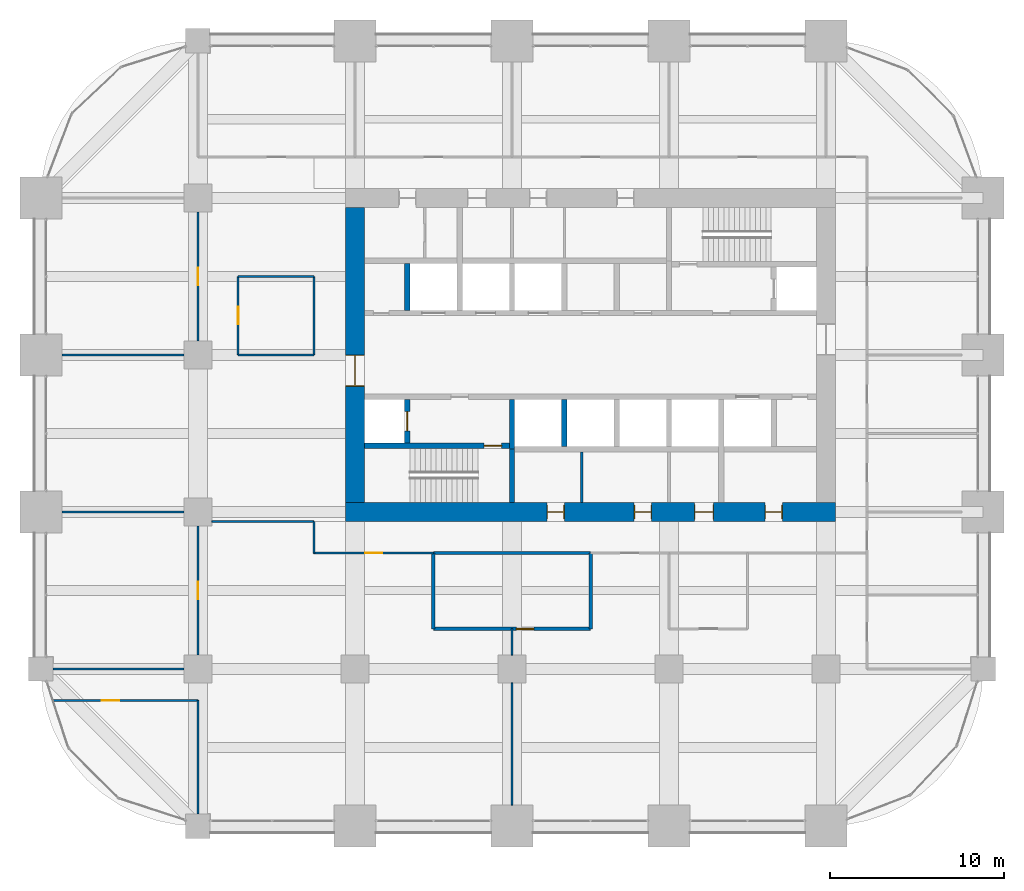
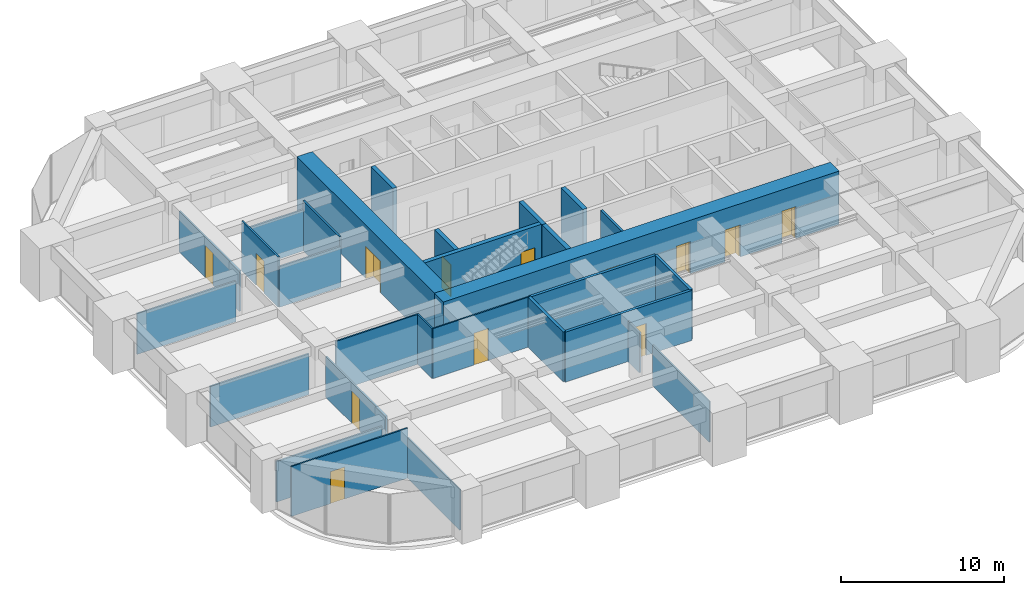
# One storey, part 29 of 32: 29 walls, 13 doors, 13 openings.
"""IFC4 building model written with IfcOpenShell, lengths in metres."""

import ifcopenshell
import ifcopenshell.guid

model = None  # the IFC model being written
_history = None  # IfcOwnerHistory: only IFC2X3 demands one
_inside = {}  # id of a spatial element -> (the spatial element, [elements in it])
_under = {}  # id of a project, library or spatial element -> (it, [spatial elements below it])
_declared = {}  # id of a project -> (the project, [libraries it declares])
_typed = {}  # id of a type object -> (the type object, [elements of that type])
_made_of = {}  # id of a material, layer set ... -> (it, [elements and type objects made of it])


def new_model(schema):
    """Start an empty IFC model of exactly this schema.

    Asked for "IFC4X3", IfcOpenShell would pick the latest addendum, in which some entities
    have other attributes; the version numbers below select the first issue.
    IFC2X3 requires an IfcOwnerHistory on every rooted entity: one is made here for all.
    """
    global model, _history
    if schema == "IFC4X3":
        model = ifcopenshell.file(schema_version=(4, 3, 0, 0))
    else:
        model = ifcopenshell.file(schema=schema)
    _inside.clear()
    _under.clear()
    _declared.clear()
    _typed.clear()
    _made_of.clear()
    _history = None
    if model.schema == "IFC2X3":
        org = make("IfcOrganization", Name="unknown")
        user = make(
            "IfcPersonAndOrganization",
            ThePerson=make("IfcPerson", FamilyName="unknown"),
            TheOrganization=org,
        )
        app = make(
            "IfcApplication",
            ApplicationDeveloper=org,
            Version="unknown",
            ApplicationFullName="unknown",
            ApplicationIdentifier="unknown",
        )
        _history = make(
            "IfcOwnerHistory",
            OwningUser=user,
            OwningApplication=app,
            ChangeAction="ADDED",
            CreationDate=0,
        )
    return model


def make(cls, **values):
    """One entity of the class cls with the attributes given. An attribute that is None is left unset."""
    return model.create_entity(
        cls, **{name: value for name, value in values.items() if value is not None}
    )


def rooted(cls, **values):
    """An entity with a GlobalId (a new one), such as an element, a storey or a relation."""
    return make(cls, GlobalId=ifcopenshell.guid.new(), OwnerHistory=_history, **values)


def si_unit(unit_type, name, prefix=None):
    """IfcSIUnit, for example si_unit("LENGTHUNIT", "METRE", prefix="MILLI")."""
    return make("IfcSIUnit", UnitType=unit_type, Prefix=prefix, Name=name)


def assignment(units):
    """IfcUnitAssignment: the units of a project."""
    return None if units is None else make("IfcUnitAssignment", Units=units)


def point(xyz):
    """IfcCartesianPoint."""
    return None if xyz is None else make("IfcCartesianPoint", Coordinates=xyz)


def direction(xyz):
    """IfcDirection."""
    return None if xyz is None else make("IfcDirection", DirectionRatios=xyz)


def frame(location, z_axis=None, x_axis=None):
    """IfcAxis2Placement3D, a coordinate frame: its origin and axes. An axis left out is left unset."""
    return make(
        "IfcAxis2Placement3D",
        Location=point(location),
        Axis=direction(z_axis),
        RefDirection=direction(x_axis),
    )


def frame_2d(location, x_axis=None):
    """IfcAxis2Placement2D, a coordinate frame in the plane: its origin and x axis."""
    return make(
        "IfcAxis2Placement2D", Location=point(location), RefDirection=direction(x_axis)
    )


def origin():
    """The frame at (0, 0, 0) with its axes left unset."""
    return frame((0.0, 0.0, 0.0))


def place(relative_to, where):
    """IfcLocalPlacement: puts the frame where relative to a parent placement (None: the world)."""
    return make(
        "IfcLocalPlacement", PlacementRelTo=relative_to, RelativePlacement=where
    )


def context(
    kind, dimensions, precision=None, world=None, true_north=None, identifier=None
):
    """IfcGeometricRepresentationContext, for example the 3D "Model" context."""
    return make(
        "IfcGeometricRepresentationContext",
        ContextIdentifier=identifier,
        ContextType=kind,
        CoordinateSpaceDimension=dimensions,
        Precision=precision,
        WorldCoordinateSystem=world,
        TrueNorth=true_north,
    )


def subcontext(parent, identifier, kind, view, scale=None):
    """IfcGeometricRepresentationSubContext, for example "Body" below "Model"."""
    return make(
        "IfcGeometricRepresentationSubContext",
        ContextIdentifier=identifier,
        ContextType=kind,
        ParentContext=parent,
        TargetScale=scale,
        TargetView=view,
    )


def project(units=None, contexts=None):
    """IfcProject with its units and contexts."""
    return rooted(
        "IfcProject",
        Name="project",
        RepresentationContexts=contexts,
        UnitsInContext=assignment(units),
    )


def spatial(cls, under=None, at=None, **own):
    """A site, building, storey or space (cls), placed at a placement, below another one or the project."""
    s = rooted(cls, ObjectPlacement=at, **own)
    if under is not None:
        _under.setdefault(under.id(), (under, []))[1].append(s)
    return s


def profile(cls, at=None, kind="AREA", **sizes):
    """A parametric profile (cls). Its sizes go by their IFC names, for example OverallWidth=200.0."""
    return make(cls, ProfileType=kind, Position=at, **sizes)


def rectangle(**sizes):
    """IfcRectangleProfileDef."""
    return profile("IfcRectangleProfileDef", **sizes)


def extrude(swept, where, along, depth):
    """IfcExtrudedAreaSolid: the profile swept, set in the frame where, extruded along a direction by depth."""
    return make(
        "IfcExtrudedAreaSolid",
        SweptArea=swept,
        Position=where,
        ExtrudedDirection=direction(along),
        Depth=depth,
    )


def shape(context_of_items, identifier, shape_type, items):
    """IfcShapeRepresentation: the items that make up one representation, for example the "Body"."""
    return make(
        "IfcShapeRepresentation",
        ContextOfItems=context_of_items,
        RepresentationIdentifier=identifier,
        RepresentationType=shape_type,
        Items=items,
    )


def material(Name=None, Category=None):
    """IfcMaterial."""
    return make("IfcMaterial", Name=Name, Category=Category)


def layer(
    of_material, thickness, ventilated=None, Name=None, Category=None, Priority=None
):
    """IfcMaterialLayer: one layer of a wall or slab, of a material (None: an air gap)."""
    return make(
        "IfcMaterialLayer",
        Material=of_material,
        LayerThickness=thickness,
        IsVentilated=ventilated,
        Name=Name,
        Category=Category,
        Priority=Priority,
    )


def layer_set(layers, Name=None):
    """IfcMaterialLayerSet."""
    return make("IfcMaterialLayerSet", MaterialLayers=layers, LayerSetName=Name)


def made_of(thing, what):
    """Note that an element or type object is made of a material, layer set ...; save() writes the relation."""
    if what is not None:
        _made_of.setdefault(what.id(), (what, []))[1].append(thing)
    return thing


def type_object(cls, material=None, **own):
    """A type object (cls), such as IfcWallType, which elements share."""
    return made_of(rooted(cls, **own), material)


def element(
    cls,
    number,
    at=None,
    inside=None,
    cuts=None,
    type_object=None,
    material=None,
    context=None,
    identifier="Body",
    shape_type=None,
    held_by="IfcProductDefinitionShape",
    body=None,
    shapes=None,
    **own,
):
    """One element of the class cls, such as IfcWall. Its Tag is "e" and its number.

    at: its placement. inside: the storey or other place that contains it. cuts: it is an
    opening in that element (IfcRelVoidsElement). A single representation is given by context,
    identifier, shape_type and body (its items); several are given by shapes. held_by: the class
    of the entity that holds the representations. save() writes the other relations.
    """
    e = rooted(cls, Tag="e%d" % number, ObjectPlacement=at, **own)
    if body is not None:
        shapes = [shape(context, identifier, shape_type, body)]
    if shapes is not None:
        e.Representation = make(held_by, Representations=shapes)
    if inside is not None:
        _inside.setdefault(inside.id(), (inside, []))[1].append(e)
    if cuts is not None:
        rooted(
            "IfcRelVoidsElement", RelatingBuildingElement=cuts, RelatedOpeningElement=e
        )
    if type_object is not None:
        _typed.setdefault(type_object.id(), (type_object, []))[1].append(e)
    return made_of(e, material)


def fill(opening, filler):
    """IfcRelFillsElement: the door or window that sits in an opening."""
    return rooted(
        "IfcRelFillsElement",
        RelatingOpeningElement=opening,
        RelatedBuildingElement=filler,
    )


def aggregate(whole, parts):
    """IfcRelAggregates: a whole, such as a stair, and the parts it consists of."""
    return rooted("IfcRelAggregates", RelatingObject=whole, RelatedObjects=parts)


def save(model, path):
    """Write the relations noted so far, then the file.

    IfcRelAggregates (storeys below a building ...), IfcRelContainedInSpatialStructure (elements
    in a storey), IfcRelDefinesByType, IfcRelAssociatesMaterial and IfcRelDeclares: one each for
    every whole, place, type object, material and project.
    """
    for whole, parts in _under.values():
        aggregate(whole, parts)
    for where, things in _inside.values():
        rooted(
            "IfcRelContainedInSpatialStructure",
            RelatedElements=things,
            RelatingStructure=where,
        )
    for kind, things in _typed.values():
        rooted("IfcRelDefinesByType", RelatedObjects=things, RelatingType=kind)
    for what, things in _made_of.values():
        rooted("IfcRelAssociatesMaterial", RelatedObjects=things, RelatingMaterial=what)
    for by, libraries in _declared.values():
        rooted("IfcRelDeclares", RelatingContext=by, RelatedDefinitions=libraries)
    model.write(path)


model = new_model("IFC4")

# Units and contexts
model_context = context("Model", 3, precision=1e-05, world=origin(), true_north=direction((0.0, 1.0)))
body_context = subcontext(model_context, "Body", "Model", "MODEL_VIEW")
ifc_project = project(units=[si_unit("LENGTHUNIT", "METRE"), si_unit("AREAUNIT", "SQUARE_METRE"), si_unit("VOLUMEUNIT", "CUBIC_METRE"), si_unit("PLANEANGLEUNIT", "RADIAN"), si_unit("MASSUNIT", "GRAM", prefix="KILO")], contexts=[model_context])

# Site, building, storey
site_placement = place(None, origin())
site = spatial("IfcSite", under=ifc_project, at=site_placement, CompositionType="ELEMENT")
building_placement = place(site_placement, origin())
building = spatial("IfcBuilding", under=site, at=building_placement, Name="Zorevar Civic Tower", CompositionType="ELEMENT")
storey_placement = place(building_placement, frame((0.0, 0.0, 190.199951171875)))
storey = spatial("IfcBuildingStorey", under=building, at=storey_placement, Name="L46", CompositionType="ELEMENT", Elevation=190.199951171875)

# Wall, opening, door
ifc_material_1 = material(Name="Concrete blockwork", Category="masonry")
ifc_layer_1 = layer(ifc_material_1, 0.199951171875)
ifc_layer_set_1 = layer_set([ifc_layer_1], Name="Blockwork wall 200")
wall_type_1 = type_object("IfcWallType", Name="Blockwork wall 200", PredefinedType="SOLIDWALL", material=ifc_layer_set_1)
wall_1_placement = place(storey_placement, frame((22.5, 11.300048828125, 0.0), z_axis=(0.0, 0.0, 1.0), x_axis=(1.0, 0.0, 0.0)))
wall_1 = element("IfcWall", 1, at=wall_1_placement, inside=storey, type_object=wall_type_1, Name="Blockwork wall 200 L46", PredefinedType="SOLIDWALL", context=body_context, shape_type="SweptSolid", body=[
    extrude(rectangle(XDim=9.0, YDim=0.199951171875, at=frame_2d((4.5, 0.0))), origin(), (0.0, 0.0, 1.0), 3.75),
])
opening_1_placement = place(wall_1_placement, frame((4.75, 0.0, 0.0)))
opening_1 = element("IfcOpeningElement", 2, at=opening_1_placement, cuts=wall_1, Name="Opening L46.18", PredefinedType="OPENING", context=body_context, shape_type="SweptSolid", body=[
    extrude(rectangle(XDim=1.0, YDim=2.39990234375, at=frame_2d((0.5, 1.199951171875))), frame((0.0, 0.10986328125, 0.0), z_axis=(0.0, -1.0, 0.0), x_axis=(1.0, 0.0, 0.0)), (0.0, 0.0, 1.0), 0.219970703125),
])
ifc_material_2 = material(Name="Steel door set", Category="steel")
door_type_1 = type_object("IfcDoorType", Name="Security door SD1 1000x2400", OperationType="SINGLE_SWING_LEFT", PredefinedType="DOOR", material=ifc_material_2)
door_1_placement = place(opening_1_placement, origin())
door_1 = element("IfcDoor", 3, at=door_1_placement, inside=storey, type_object=door_type_1, Name="Door L46 D1", OperationType="SINGLE_SWING_RIGHT", OverallHeight=2.39990234375, OverallWidth=1.0, PredefinedType="DOOR", context=body_context, shape_type="SweptSolid", body=[
    extrude(rectangle(XDim=1.0, YDim=2.39990234375, at=frame_2d((0.5, 1.199951171875))), frame((0.0, 0.03515625, 0.0), z_axis=(0.0, -1.0, 0.0), x_axis=(1.0, 0.0, 0.0)), (0.0, 0.0, 1.0), 0.070068359375),
])
fill(opening_1, door_1)

# Walls
wall_2_placement = place(storey_placement, frame((22.5, 15.64990234375, 0.0), z_axis=(0.0, 0.0, 1.0), x_axis=(1.0, 0.0, 0.0)))
element("IfcWall", 4, at=wall_2_placement, inside=storey, type_object=wall_type_1, Name="Blockwork wall 200 L46", PredefinedType="SOLIDWALL", context=body_context, shape_type="SweptSolid", body=[
    extrude(rectangle(XDim=9.0, YDim=0.199951171875, at=frame_2d((4.5, 0.0))), origin(), (0.0, 0.0, 1.0), 3.75),
])
for number, where, z_axis, x_axis, name in (
    (5, (22.5, 11.300048828125, 0.0), (0.0, 0.0, 1.0), (0.0, 1.0, 0.0), "Blockwork wall 200 L46"),
    (6, (31.5, 11.300048828125, 0.0), (0.0, 0.0, 1.0), (0.0, 1.0, 0.0), "Blockwork wall 200 L46"),
):
    element("IfcWall", number, at=place(storey_placement, frame(where, z_axis=z_axis, x_axis=x_axis)), inside=storey, type_object=wall_type_1, Name=name, PredefinedType="SOLIDWALL", context=body_context, shape_type="SweptSolid", body=[
        extrude(rectangle(XDim=4.349853515625, YDim=0.199951171875, at=frame_2d((2.1748046875, 0.0))), origin(), (0.0, 0.0, 1.0), 3.75),
    ])

# Wall, openings, doors
ifc_material_3 = material(Name="Concrete C50/60", Category="concrete")
ifc_layer_2 = layer(ifc_material_3, 1.10009765625)
ifc_layer_set_2 = layer_set([ifc_layer_2], Name="Core wall 1100")
wall_type_2 = type_object("IfcWallType", Name="Core wall 1100", PredefinedType="SHEAR", material=ifc_layer_set_2)
wall_3_placement = place(storey_placement, frame((17.449951171875, 18.0, 0.0), z_axis=(0.0, 0.0, 1.0), x_axis=(1.0, 0.0, 0.0)))
wall_3 = element("IfcWall", 7, at=wall_3_placement, inside=storey, type_object=wall_type_2, Name="Core wall S L46", PredefinedType="SHEAR", context=body_context, shape_type="SweptSolid", body=[
    extrude(rectangle(XDim=28.10009765625, YDim=1.10009765625, at=frame_2d((14.050048828125, 0.0))), origin(), (0.0, 0.0, 1.0), 4.0),
])
opening_2_placement = place(wall_3_placement, frame((11.550048828125, 0.0, 0.0)))
opening_2 = element("IfcOpeningElement", 8, at=opening_2_placement, cuts=wall_3, Name="Opening L46.03", PredefinedType="OPENING", context=body_context, shape_type="SweptSolid", body=[
    extrude(rectangle(XDim=1.0, YDim=2.39990234375, at=frame_2d((0.5, 1.199951171875))), frame((0.0, 0.56005859375, 0.0), z_axis=(0.0, -1.0, 0.0), x_axis=(1.0, 0.0, 0.0)), (0.0, 0.0, 1.0), 1.1201171875),
])
opening_3_placement = place(wall_3_placement, frame((16.550048828125, 0.0, 0.0)))
opening_3 = element("IfcOpeningElement", 9, at=opening_3_placement, cuts=wall_3, Name="Opening L46.04", PredefinedType="OPENING", context=body_context, shape_type="SweptSolid", body=[
    extrude(rectangle(XDim=1.0, YDim=2.39990234375, at=frame_2d((0.5, 1.199951171875))), frame((0.0, 0.56005859375, 0.0), z_axis=(0.0, -1.0, 0.0), x_axis=(1.0, 0.0, 0.0)), (0.0, 0.0, 1.0), 1.1201171875),
])
opening_4_placement = place(wall_3_placement, frame((20.0, 0.0, 0.0)))
opening_4 = element("IfcOpeningElement", 10, at=opening_4_placement, cuts=wall_3, Name="Opening L46.05", PredefinedType="OPENING", context=body_context, shape_type="SweptSolid", body=[
    extrude(rectangle(XDim=1.10009765625, YDim=2.39990234375, at=frame_2d((0.550048828125, 1.199951171875))), frame((0.0, 0.56005859375, 0.0), z_axis=(0.0, -1.0, 0.0), x_axis=(1.0, 0.0, 0.0)), (0.0, 0.0, 1.0), 1.1201171875),
])
opening_5_placement = place(wall_3_placement, frame((24.050048828125, 0.0, 0.0)))
opening_5 = element("IfcOpeningElement", 11, at=opening_5_placement, cuts=wall_3, Name="Opening L46.06", PredefinedType="OPENING", context=body_context, shape_type="SweptSolid", body=[
    extrude(rectangle(XDim=1.0, YDim=2.39990234375, at=frame_2d((0.5, 1.199951171875))), frame((0.0, 0.56005859375, 0.0), z_axis=(0.0, -1.0, 0.0), x_axis=(1.0, 0.0, 0.0)), (0.0, 0.0, 1.0), 1.1201171875),
])
ifc_material_4 = material(Name="Timber door set", Category="wood")
door_type_2 = type_object("IfcDoorType", Name="Door D1 1000x2400", OperationType="SINGLE_SWING_LEFT", PredefinedType="DOOR", material=ifc_material_4)
door_2_placement = place(opening_2_placement, origin())
door_2 = element("IfcDoor", 12, at=door_2_placement, inside=storey, type_object=door_type_2, Name="Door L46 02", OperationType="SINGLE_SWING_RIGHT", OverallHeight=2.39990234375, OverallWidth=1.0, PredefinedType="DOOR", context=body_context, shape_type="SweptSolid", body=[
    extrude(rectangle(XDim=1.0, YDim=2.39990234375, at=frame_2d((0.5, 1.199951171875))), frame((0.0, 0.02490234375, 0.0), z_axis=(0.0, -1.0, 0.0), x_axis=(1.0, 0.0, 0.0)), (0.0, 0.0, 1.0), 0.050048828125),
    extrude(rectangle(XDim=0.04, YDim=2.39990234375, at=frame_2d((0.02001953125, 1.199951171875))), frame((0.0, 0.39990234375, 0.0), z_axis=(0.0, -1.0, 0.0), x_axis=(1.0, 0.0, 0.0)), (0.0, 0.0, 1.0), 0.800048828125),
    extrude(rectangle(XDim=0.04, YDim=2.39990234375, at=frame_2d((0.97998046875, 1.199951171875))), frame((0.0, 0.39990234375, 0.0), z_axis=(0.0, -1.0, 0.0), x_axis=(1.0, 0.0, 0.0)), (0.0, 0.0, 1.0), 0.800048828125),
    extrude(rectangle(XDim=1.0, YDim=0.04, at=frame_2d((0.5, 2.3798828125))), frame((0.0, 0.39990234375, 0.0), z_axis=(0.0, -1.0, 0.0), x_axis=(1.0, 0.0, 0.0)), (0.0, 0.0, 1.0), 0.800048828125),
])
fill(opening_2, door_2)
door_3_placement = place(opening_3_placement, origin())
door_3 = element("IfcDoor", 13, at=door_3_placement, inside=storey, type_object=door_type_2, Name="Door L46 03", OperationType="SINGLE_SWING_LEFT", OverallHeight=2.39990234375, OverallWidth=1.0, PredefinedType="DOOR", context=body_context, shape_type="SweptSolid", body=[
    extrude(rectangle(XDim=1.0, YDim=2.39990234375, at=frame_2d((0.5, 1.199951171875))), frame((0.0, 0.02490234375, 0.0), z_axis=(0.0, -1.0, 0.0), x_axis=(1.0, 0.0, 0.0)), (0.0, 0.0, 1.0), 0.050048828125),
    extrude(rectangle(XDim=0.04, YDim=2.39990234375, at=frame_2d((0.02001953125, 1.199951171875))), frame((0.0, 0.39990234375, 0.0), z_axis=(0.0, -1.0, 0.0), x_axis=(1.0, 0.0, 0.0)), (0.0, 0.0, 1.0), 0.800048828125),
    extrude(rectangle(XDim=0.04, YDim=2.39990234375, at=frame_2d((0.97998046875, 1.199951171875))), frame((0.0, 0.39990234375, 0.0), z_axis=(0.0, -1.0, 0.0), x_axis=(1.0, 0.0, 0.0)), (0.0, 0.0, 1.0), 0.800048828125),
    extrude(rectangle(XDim=1.0, YDim=0.04, at=frame_2d((0.5, 2.3798828125))), frame((0.0, 0.39990234375, 0.0), z_axis=(0.0, -1.0, 0.0), x_axis=(1.0, 0.0, 0.0)), (0.0, 0.0, 1.0), 0.800048828125),
])
fill(opening_3, door_3)
door_4_placement = place(opening_5_placement, origin())
door_4 = element("IfcDoor", 14, at=door_4_placement, inside=storey, type_object=door_type_2, Name="Door L46 05", OperationType="SINGLE_SWING_LEFT", OverallHeight=2.39990234375, OverallWidth=1.0, PredefinedType="DOOR", context=body_context, shape_type="SweptSolid", body=[
    extrude(rectangle(XDim=1.0, YDim=2.39990234375, at=frame_2d((0.5, 1.199951171875))), frame((0.0, 0.02490234375, 0.0), z_axis=(0.0, -1.0, 0.0), x_axis=(1.0, 0.0, 0.0)), (0.0, 0.0, 1.0), 0.050048828125),
    extrude(rectangle(XDim=0.04, YDim=2.39990234375, at=frame_2d((0.02001953125, 1.199951171875))), frame((0.0, 0.39990234375, 0.0), z_axis=(0.0, -1.0, 0.0), x_axis=(1.0, 0.0, 0.0)), (0.0, 0.0, 1.0), 0.800048828125),
    extrude(rectangle(XDim=0.04, YDim=2.39990234375, at=frame_2d((0.97998046875, 1.199951171875))), frame((0.0, 0.39990234375, 0.0), z_axis=(0.0, -1.0, 0.0), x_axis=(1.0, 0.0, 0.0)), (0.0, 0.0, 1.0), 0.800048828125),
    extrude(rectangle(XDim=1.0, YDim=0.04, at=frame_2d((0.5, 2.3798828125))), frame((0.0, 0.39990234375, 0.0), z_axis=(0.0, -1.0, 0.0), x_axis=(1.0, 0.0, 0.0)), (0.0, 0.0, 1.0), 0.800048828125),
])
fill(opening_5, door_4)
ifc_material_5 = material(Name="Timber door set", Category="wood")
door_type_3 = type_object("IfcDoorType", Name="Door D5 1100x2400", OperationType="SINGLE_SWING_LEFT", PredefinedType="DOOR", material=ifc_material_5)
door_5_placement = place(opening_4_placement, origin())
door_5 = element("IfcDoor", 15, at=door_5_placement, inside=storey, type_object=door_type_3, Name="Door L46 04", OperationType="SINGLE_SWING_LEFT", OverallHeight=2.39990234375, OverallWidth=1.10009765625, PredefinedType="DOOR", context=body_context, shape_type="SweptSolid", body=[
    extrude(rectangle(XDim=1.10009765625, YDim=2.39990234375, at=frame_2d((0.550048828125, 1.199951171875))), frame((0.0, 0.02490234375, 0.0), z_axis=(0.0, -1.0, 0.0), x_axis=(1.0, 0.0, 0.0)), (0.0, 0.0, 1.0), 0.050048828125),
    extrude(rectangle(XDim=0.04, YDim=2.39990234375, at=frame_2d((0.02001953125, 1.199951171875))), frame((0.0, 0.43994140625, 0.0), z_axis=(0.0, -1.0, 0.0), x_axis=(1.0, 0.0, 0.0)), (0.0, 0.0, 1.0), 0.880126953125),
    extrude(rectangle(XDim=0.04, YDim=2.39990234375, at=frame_2d((1.080078125, 1.199951171875))), frame((0.0, 0.43994140625, 0.0), z_axis=(0.0, -1.0, 0.0), x_axis=(1.0, 0.0, 0.0)), (0.0, 0.0, 1.0), 0.880126953125),
    extrude(rectangle(XDim=1.10009765625, YDim=0.04, at=frame_2d((0.550048828125, 2.3798828125))), frame((0.0, 0.43994140625, 0.0), z_axis=(0.0, -1.0, 0.0), x_axis=(1.0, 0.0, 0.0)), (0.0, 0.0, 1.0), 0.880126953125),
])
fill(opening_4, door_5)

# Wall, opening, door
wall_4_placement = place(storey_placement, frame((18.0, 35.449951171875, 0.0), z_axis=(0.0, 0.0, 1.0), x_axis=(0.0, -1.0, 0.0)))
wall_4 = element("IfcWall", 16, at=wall_4_placement, inside=storey, type_object=wall_type_2, Name="Core wall W L46", PredefinedType="SHEAR", context=body_context, shape_type="SweptSolid", body=[
    extrude(rectangle(XDim=16.89990234375, YDim=1.10009765625, at=frame_2d((8.449951171875, 0.0))), origin(), (0.0, 0.0, 1.0), 4.0),
])
opening_6_placement = place(wall_4_placement, frame((8.449951171875, 0.0, 0.0)))
opening_6 = element("IfcOpeningElement", 17, at=opening_6_placement, cuts=wall_4, Name="Opening L46.01", PredefinedType="OPENING", context=body_context, shape_type="SweptSolid", body=[
    extrude(rectangle(XDim=1.800048828125, YDim=2.39990234375, at=frame_2d((0.89990234375, 1.199951171875))), frame((0.0, 0.56005859375, 0.0), z_axis=(0.0, -1.0, 0.0), x_axis=(1.0, 0.0, 0.0)), (0.0, 0.0, 1.0), 1.1201171875),
])
ifc_material_6 = material(Name="Steel door set", Category="steel")
door_type_4 = type_object("IfcDoorType", Name="Fire door FD2 1800x2400", OperationType="DOUBLE_DOOR_DOUBLE_SWING", PredefinedType="DOOR", material=ifc_material_6)
door_6_placement = place(opening_6_placement, origin())
door_6 = element("IfcDoor", 18, at=door_6_placement, inside=storey, type_object=door_type_4, Name="Door L46 00", OperationType="DOUBLE_DOOR_DOUBLE_SWING", OverallHeight=2.39990234375, OverallWidth=1.800048828125, PredefinedType="DOOR", context=body_context, shape_type="SweptSolid", body=[
    extrude(rectangle(XDim=1.800048828125, YDim=2.39990234375, at=frame_2d((0.89990234375, 1.199951171875))), frame((0.0, 0.030029296875, 0.0), z_axis=(0.0, -1.0, 0.0), x_axis=(1.0, 0.0, 0.0)), (0.0, 0.0, 1.0), 0.06005859375),
    extrude(rectangle(XDim=0.04, YDim=2.39990234375, at=frame_2d((0.02001953125, 1.199951171875))), frame((0.0, 0.5498046875, 0.0), z_axis=(0.0, -1.0, 0.0), x_axis=(1.0, 0.0, 0.0)), (0.0, 0.0, 1.0), 1.099609375),
    extrude(rectangle(XDim=0.04, YDim=2.39990234375, at=frame_2d((1.780029296875, 1.199951171875))), frame((0.0, 0.5498046875, 0.0), z_axis=(0.0, -1.0, 0.0), x_axis=(1.0, 0.0, 0.0)), (0.0, 0.0, 1.0), 1.099609375),
    extrude(rectangle(XDim=1.800048828125, YDim=0.04, at=frame_2d((0.89990234375, 2.3798828125))), frame((0.0, 0.5498046875, 0.0), z_axis=(0.0, -1.0, 0.0), x_axis=(1.0, 0.0, 0.0)), (0.0, 0.0, 1.0), 1.099609375),
])
fill(opening_6, door_6)

ifc_material_7 = material(Name="Laminated glass in black aluminium frame", Category="aluminium")
ifc_layer_3 = layer(ifc_material_7, 0.10009765625)
ifc_layer_set_3 = layer_set([ifc_layer_3], Name="Glazed partition 100")
wall_type_3 = type_object("IfcWallType", Name="Glazed partition 100", PredefinedType="PARTITIONING", material=ifc_layer_set_3)
wall_5_placement = place(storey_placement, frame((0.720458984375, 7.199951171875, 0.0), z_axis=(0.0, 0.0, 1.0), x_axis=(1.0, 0.0, 0.0)))
wall_5 = element("IfcWall", 19, at=wall_5_placement, inside=storey, type_object=wall_type_3, Name="Glazed partition 100 L46", PredefinedType="PARTITIONING", context=body_context, shape_type="SweptSolid", body=[
    extrude(rectangle(XDim=8.279541015625, YDim=0.10009765625, at=frame_2d((4.1396484375, 0.0))), origin(), (0.0, 0.0, 1.0), 3.75),
])
opening_7_placement = place(wall_5_placement, frame((2.779541015625, 0.0, 0.0)))
opening_7 = element("IfcOpeningElement", 20, at=opening_7_placement, cuts=wall_5, Name="Opening L46.17", PredefinedType="OPENING", context=body_context, shape_type="SweptSolid", body=[
    extrude(rectangle(XDim=1.0, YDim=2.39990234375, at=frame_2d((0.5, 1.199951171875))), frame((0.0, 0.06005859375, 0.0), z_axis=(0.0, -1.0, 0.0), x_axis=(1.0, 0.0, 0.0)), (0.0, 0.0, 1.0), 0.1201171875),
])
ifc_material_8 = material(Name="Timber door set", Category="wood")
door_type_5 = type_object("IfcDoorType", Name="Glazed door GD1 1000x2400", OperationType="SINGLE_SWING_LEFT", PredefinedType="DOOR", material=ifc_material_8)
door_7_placement = place(opening_7_placement, origin())
door_7 = element("IfcDoor", 21, at=door_7_placement, inside=storey, type_object=door_type_5, Name="Door L46 D1", OperationType="SINGLE_SWING_RIGHT", OverallHeight=2.39990234375, OverallWidth=1.0, PredefinedType="DOOR", context=body_context, shape_type="SweptSolid", body=[
    extrude(rectangle(XDim=1.0, YDim=2.39990234375, at=frame_2d((0.5, 1.199951171875))), frame((0.0, 0.02001953125, 0.0), z_axis=(0.0, -1.0, 0.0), x_axis=(1.0, 0.0, 0.0)), (0.0, 0.0, 1.0), 0.0400390625),
])
fill(opening_7, door_7)

wall_6_placement = place(storey_placement, frame((15.64990234375, 15.64990234375, 0.0), z_axis=(0.0, 0.0, 1.0), x_axis=(1.0, 0.0, 0.0)))
wall_6 = element("IfcWall", 22, at=wall_6_placement, inside=storey, type_object=wall_type_3, Name="Glazed partition 100 L46", PredefinedType="PARTITIONING", context=body_context, shape_type="SweptSolid", body=[
    extrude(rectangle(XDim=6.85009765625, YDim=0.10009765625, at=frame_2d((3.425048828125, 0.0))), origin(), (0.0, 0.0, 1.0), 3.75),
])
opening_8_placement = place(wall_6_placement, frame((2.925048828125, 0.0, 0.0)))
opening_8 = element("IfcOpeningElement", 23, at=opening_8_placement, cuts=wall_6, Name="Opening L46.20", PredefinedType="OPENING", context=body_context, shape_type="SweptSolid", body=[
    extrude(rectangle(XDim=1.0, YDim=2.39990234375, at=frame_2d((0.5, 1.199951171875))), frame((0.0, 0.06005859375, 0.0), z_axis=(0.0, -1.0, 0.0), x_axis=(1.0, 0.0, 0.0)), (0.0, 0.0, 1.0), 0.1201171875),
])
door_8_placement = place(opening_8_placement, origin())
door_8 = element("IfcDoor", 24, at=door_8_placement, inside=storey, type_object=door_type_5, Name="Door L46 D1", OperationType="SINGLE_SWING_RIGHT", OverallHeight=2.39990234375, OverallWidth=1.0, PredefinedType="DOOR", context=body_context, shape_type="SweptSolid", body=[
    extrude(rectangle(XDim=1.0, YDim=2.39990234375, at=frame_2d((0.5, 1.199951171875))), frame((0.0, 0.02001953125, 0.0), z_axis=(0.0, -1.0, 0.0), x_axis=(1.0, 0.0, 0.0)), (0.0, 0.0, 1.0), 0.0400390625),
])
fill(opening_8, door_8)

# Walls
wall_7_placement = place(storey_placement, frame((9.800048828125, 17.449951171875, 0.0), z_axis=(0.0, 0.0, 1.0), x_axis=(1.0, 0.0, 0.0)))
element("IfcWall", 25, at=wall_7_placement, inside=storey, type_object=wall_type_3, Name="Glazed partition 100 L46", PredefinedType="PARTITIONING", context=body_context, shape_type="SweptSolid", body=[
    extrude(rectangle(XDim=5.849853515625, YDim=0.10009765625, at=frame_2d((2.9248046875, 0.0))), origin(), (0.0, 0.0, 1.0), 3.75),
])
wall_8_placement = place(storey_placement, frame((9.0, 0.699951171875, 0.0), z_axis=(0.0, 0.0, 1.0), x_axis=(0.0, 1.0, 0.0)))
element("IfcWall", 26, at=wall_8_placement, inside=storey, type_object=wall_type_3, Name="Glazed partition 100 L46", PredefinedType="PARTITIONING", context=body_context, shape_type="SweptSolid", body=[
    extrude(rectangle(XDim=6.5, YDim=0.10009765625, at=frame_2d((3.25, 0.0))), origin(), (0.0, 0.0, 1.0), 3.050048828125),
])
wall_9_placement = place(storey_placement, frame((15.64990234375, 15.64990234375, 0.0), z_axis=(0.0, 0.0, 1.0), x_axis=(0.0, 1.0, 0.0)))
element("IfcWall", 27, at=wall_9_placement, inside=storey, type_object=wall_type_3, Name="Glazed partition 100 L46", PredefinedType="PARTITIONING", context=body_context, shape_type="SweptSolid", body=[
    extrude(rectangle(XDim=1.800048828125, YDim=0.10009765625, at=frame_2d((0.89990234375, 0.0))), origin(), (0.0, 0.0, 1.0), 3.75),
])
wall_10_placement = place(storey_placement, frame((27.0, 1.199951171875, 0.0), z_axis=(0.0, 0.0, 1.0), x_axis=(0.0, 1.0, 0.0)))
element("IfcWall", 28, at=wall_10_placement, inside=storey, type_object=wall_type_3, Name="Glazed partition 100 L46", PredefinedType="PARTITIONING", context=body_context, shape_type="SweptSolid", body=[
    extrude(rectangle(XDim=7.0, YDim=0.10009765625, at=frame_2d((3.5, 0.0))), origin(), (0.0, 0.0, 1.0), 3.050048828125),
])
wall_11_placement = place(storey_placement, frame((27.0, 9.800048828125, 0.0), z_axis=(0.0, 0.0, 1.0), x_axis=(0.0, 1.0, 0.0)))
element("IfcWall", 29, at=wall_11_placement, inside=storey, type_object=wall_type_3, Name="Glazed partition 100 L46", PredefinedType="PARTITIONING", context=body_context, shape_type="SweptSolid", body=[
    extrude(rectangle(XDim=1.510009765625, YDim=0.10009765625, at=frame_2d((0.7548828125, 0.0))), origin(), (0.0, 0.0, 1.0), 3.050048828125),
])

# Wall, opening, door
ifc_material_9 = material(Name="Concrete C40/50", Category="concrete")
ifc_layer_4 = layer(ifc_material_9, 0.300048828125)
ifc_layer_set_4 = layer_set([ifc_layer_4], Name="Inner core wall 300")
wall_type_4 = type_object("IfcWallType", Name="Inner core wall 300", PredefinedType="SHEAR", material=ifc_layer_set_4)
wall_12_placement = place(storey_placement, frame((18.550048828125, 21.800048828125, 0.0), z_axis=(0.0, 0.0, 1.0), x_axis=(1.0, 0.0, 0.0)))
wall_12 = element("IfcWall", 30, at=wall_12_placement, inside=storey, type_object=wall_type_4, Name="Inner core wall S00 L46", PredefinedType="SHEAR", context=body_context, shape_type="SweptSolid", body=[
    extrude(rectangle(XDim=8.300048828125, YDim=0.300048828125, at=frame_2d((4.14990234375, 0.0))), origin(), (0.0, 0.0, 1.0), 4.0),
])
opening_9_placement = place(wall_12_placement, frame((6.85009765625, 0.0, 0.0)))
opening_9 = element("IfcOpeningElement", 31, at=opening_9_placement, cuts=wall_12, Name="Opening L46.11", PredefinedType="OPENING", context=body_context, shape_type="SweptSolid", body=[
    extrude(rectangle(XDim=1.0, YDim=2.39990234375, at=frame_2d((0.5, 1.199951171875))), frame((0.0, 0.159912109375, 0.0), z_axis=(0.0, -1.0, 0.0), x_axis=(1.0, 0.0, 0.0)), (0.0, 0.0, 1.0), 0.320068359375),
])
ifc_material_10 = material(Name="Steel door set", Category="steel")
door_type_6 = type_object("IfcDoorType", Name="Fire door FD1 1000x2400", OperationType="SINGLE_SWING_LEFT", PredefinedType="DOOR", material=ifc_material_10)
door_9_placement = place(opening_9_placement, origin())
door_9 = element("IfcDoor", 32, at=door_9_placement, inside=storey, type_object=door_type_6, Name="Door L46 10", OperationType="SINGLE_SWING_RIGHT", OverallHeight=2.39990234375, OverallWidth=1.0, PredefinedType="DOOR", context=body_context, shape_type="SweptSolid", body=[
    extrude(rectangle(XDim=1.0, YDim=2.39990234375, at=frame_2d((0.5, 1.199951171875))), frame((0.0, 0.030029296875, 0.0), z_axis=(0.0, -1.0, 0.0), x_axis=(1.0, 0.0, 0.0)), (0.0, 0.0, 1.0), 0.06005859375),
])
fill(opening_9, door_9)

# Wall
wall_13_placement = place(storey_placement, frame((27.0, 18.550048828125, 0.0), z_axis=(0.0, 0.0, 1.0), x_axis=(0.0, 1.0, 0.0)))
element("IfcWall", 33, at=wall_13_placement, inside=storey, type_object=wall_type_4, Name="Inner core wall S01 L46", PredefinedType="SHEAR", context=body_context, shape_type="SweptSolid", body=[
    extrude(rectangle(XDim=3.050048828125, YDim=0.300048828125, at=frame_2d((1.52490234375, 0.0))), origin(), (0.0, 0.0, 1.0), 4.0),
])

# Wall, opening, door
wall_14_placement = place(storey_placement, frame((21.0, 21.949951171875, 0.0), z_axis=(0.0, 0.0, 1.0), x_axis=(0.0, 1.0, 0.0)))
wall_14 = element("IfcWall", 34, at=wall_14_placement, inside=storey, type_object=wall_type_4, Name="Inner core wall S02 L46", PredefinedType="SHEAR", context=body_context, shape_type="SweptSolid", body=[
    extrude(rectangle(XDim=2.5, YDim=0.300048828125, at=frame_2d((1.25, 0.0))), origin(), (0.0, 0.0, 1.0), 4.0),
])
opening_10_placement = place(wall_14_placement, frame((0.699951171875, 0.0, 0.0)))
opening_10 = element("IfcOpeningElement", 35, at=opening_10_placement, cuts=wall_14, Name="Opening L46.FL1", PredefinedType="OPENING", context=body_context, shape_type="SweptSolid", body=[
    extrude(rectangle(XDim=1.10009765625, YDim=2.39990234375, at=frame_2d((0.550048828125, 1.199951171875))), frame((0.0, 0.159912109375, 0.0), z_axis=(0.0, -1.0, 0.0), x_axis=(1.0, 0.0, 0.0)), (0.0, 0.0, 1.0), 0.320068359375),
])
ifc_material_11 = material(Name="Steel door set", Category="steel")
door_type_7 = type_object("IfcDoorType", Name="Firefighting lift landing door LD3 1100x2400", OperationType="DOUBLE_DOOR_SLIDING", PredefinedType="DOOR", material=ifc_material_11)
door_10_placement = place(opening_10_placement, origin())
door_10 = element("IfcDoor", 36, at=door_10_placement, inside=storey, type_object=door_type_7, Name="Landing door FL1 L46", OperationType="DOUBLE_DOOR_SLIDING", OverallHeight=2.39990234375, OverallWidth=1.10009765625, PredefinedType="DOOR", context=body_context, shape_type="SweptSolid", body=[
    extrude(rectangle(XDim=1.10009765625, YDim=2.39990234375, at=frame_2d((0.550048828125, 1.199951171875))), frame((0.0, 0.030029296875, 0.0), z_axis=(0.0, -1.0, 0.0), x_axis=(1.0, 0.0, 0.0)), (0.0, 0.0, 1.0), 0.06005859375),
])
fill(opening_10, door_10)

# Walls
for number, where, z_axis, x_axis, name in (
    (37, (30.0, 21.75, 0.0), (0.0, 0.0, 1.0), (0.0, 1.0, 0.0), "Inner core wall S05 L46"),
    (38, (21.0, 29.550048828125, 0.0), (0.0, 0.0, 1.0), (0.0, 1.0, 0.0), "Inner core wall N09 L46"),
):
    element("IfcWall", number, at=place(storey_placement, frame(where, z_axis=z_axis, x_axis=x_axis)), inside=storey, type_object=wall_type_4, Name=name, PredefinedType="SHEAR", context=body_context, shape_type="SweptSolid", body=[
        extrude(rectangle(XDim=2.699951171875, YDim=0.300048828125, at=frame_2d((1.35009765625, 0.0))), origin(), (0.0, 0.0, 1.0), 4.0),
    ])
wall_15_placement = place(storey_placement, frame((27.0, 21.60009765625, 0.0), z_axis=(0.0, 0.0, 1.0), x_axis=(0.0, 1.0, 0.0)))
element("IfcWall", 39, at=wall_15_placement, inside=storey, type_object=wall_type_4, Name="Inner core wall S10 L46", PredefinedType="SHEAR", context=body_context, shape_type="SweptSolid", body=[
    extrude(rectangle(XDim=2.849853515625, YDim=0.300048828125, at=frame_2d((1.4248046875, 0.0))), origin(), (0.0, 0.0, 1.0), 4.0),
])
ifc_material_12 = material(Name="Gypsum board on steel studs", Category="steel")
ifc_layer_5 = layer(ifc_material_12, 0.1201171875)
ifc_layer_set_5 = layer_set([ifc_layer_5], Name="Partition 120")
wall_type_5 = type_object("IfcWallType", Name="Partition 120", PredefinedType="PARTITIONING", material=ifc_layer_set_5)
wall_16_placement = place(storey_placement, frame((0.699951171875, 9.0, 0.0), z_axis=(0.0, 0.0, 1.0), x_axis=(1.0, 0.0, 0.0)))
element("IfcWall", 40, at=wall_16_placement, inside=storey, type_object=wall_type_5, Name="Partition 120 L46", PredefinedType="PARTITIONING", context=body_context, shape_type="SweptSolid", body=[
    extrude(rectangle(XDim=7.5, YDim=0.1201171875, at=frame_2d((3.75, 0.0))), origin(), (0.0, 0.0, 1.0), 3.050048828125),
])
for number, where, z_axis, x_axis, name in (
    (41, (1.199951171875, 18.0, 0.0), (0.0, 0.0, 1.0), (1.0, 0.0, 0.0), "Partition 120 L46"),
    (42, (1.199951171875, 27.0, 0.0), (0.0, 0.0, 1.0), (1.0, 0.0, 0.0), "Partition 120 L46"),
):
    element("IfcWall", number, at=place(storey_placement, frame(where, z_axis=z_axis, x_axis=x_axis)), inside=storey, type_object=wall_type_5, Name=name, PredefinedType="PARTITIONING", context=body_context, shape_type="SweptSolid", body=[
        extrude(rectangle(XDim=7.0, YDim=0.1201171875, at=frame_2d((3.5, 0.0))), origin(), (0.0, 0.0, 1.0), 3.050048828125),
    ])
wall_17_placement = place(storey_placement, frame((11.300048828125, 27.0, 0.0), z_axis=(0.0, 0.0, 1.0), x_axis=(1.0, 0.0, 0.0)))
element("IfcWall", 43, at=wall_17_placement, inside=storey, type_object=wall_type_5, Name="Partition 120 L46", PredefinedType="PARTITIONING", context=body_context, shape_type="SweptSolid", body=[
    extrude(rectangle(XDim=4.349853515625, YDim=0.1201171875, at=frame_2d((2.1748046875, 0.0))), origin(), (0.0, 0.0, 1.0), 3.050048828125),
])
wall_18_placement = place(storey_placement, frame((11.300048828125, 31.5, 0.0), z_axis=(0.0, 0.0, 1.0), x_axis=(1.0, 0.0, 0.0)))
element("IfcWall", 44, at=wall_18_placement, inside=storey, type_object=wall_type_5, Name="Partition 120 L46", PredefinedType="PARTITIONING", context=body_context, shape_type="SweptSolid", body=[
    extrude(rectangle(XDim=4.349853515625, YDim=0.1201171875, at=frame_2d((2.1748046875, 0.0))), origin(), (0.0, 0.0, 1.0), 3.10009765625),
])

# Wall, opening, door
wall_19_placement = place(storey_placement, frame((9.0, 9.800048828125, 0.0), z_axis=(0.0, 0.0, 1.0), x_axis=(0.0, 1.0, 0.0)))
wall_19 = element("IfcWall", 45, at=wall_19_placement, inside=storey, type_object=wall_type_5, Name="Partition 120 L46", PredefinedType="PARTITIONING", context=body_context, shape_type="SweptSolid", body=[
    extrude(rectangle(XDim=7.39990234375, YDim=0.1201171875, at=frame_2d((3.699951171875, 0.0))), origin(), (0.0, 0.0, 1.0), 3.050048828125),
])
opening_11_placement = place(wall_19_placement, frame((3.199951171875, 0.0, 0.0)))
opening_11 = element("IfcOpeningElement", 46, at=opening_11_placement, cuts=wall_19, Name="Opening L46.27", PredefinedType="OPENING", context=body_context, shape_type="SweptSolid", body=[
    extrude(rectangle(XDim=1.0, YDim=2.39990234375, at=frame_2d((0.5, 1.199951171875))), frame((0.0, 0.070068359375, 0.0), z_axis=(0.0, -1.0, 0.0), x_axis=(1.0, 0.0, 0.0)), (0.0, 0.0, 1.0), 0.14013671875),
])
door_11_placement = place(opening_11_placement, origin())
door_11 = element("IfcDoor", 47, at=door_11_placement, inside=storey, type_object=door_type_2, Name="Door L46 D1", OperationType="SINGLE_SWING_RIGHT", OverallHeight=2.39990234375, OverallWidth=1.0, PredefinedType="DOOR", context=body_context, shape_type="SweptSolid", body=[
    extrude(rectangle(XDim=1.0, YDim=2.39990234375, at=frame_2d((0.5, 1.199951171875))), frame((0.0, 0.02490234375, 0.0), z_axis=(0.0, -1.0, 0.0), x_axis=(1.0, 0.0, 0.0)), (0.0, 0.0, 1.0), 0.050048828125),
])
fill(opening_11, door_11)

wall_20_placement = place(storey_placement, frame((9.0, 27.800048828125, 0.0), z_axis=(0.0, 0.0, 1.0), x_axis=(0.0, 1.0, 0.0)))
wall_20 = element("IfcWall", 48, at=wall_20_placement, inside=storey, type_object=wall_type_5, Name="Partition 120 L46", PredefinedType="PARTITIONING", context=body_context, shape_type="SweptSolid", body=[
    extrude(rectangle(XDim=7.39990234375, YDim=0.1201171875, at=frame_2d((3.699951171875, 0.0))), origin(), (0.0, 0.0, 1.0), 3.050048828125),
])
opening_12_placement = place(wall_20_placement, frame((3.199951171875, 0.0, 0.0)))
opening_12 = element("IfcOpeningElement", 49, at=opening_12_placement, cuts=wall_20, Name="Opening L46.28", PredefinedType="OPENING", context=body_context, shape_type="SweptSolid", body=[
    extrude(rectangle(XDim=1.0, YDim=2.39990234375, at=frame_2d((0.5, 1.199951171875))), frame((0.0, 0.070068359375, 0.0), z_axis=(0.0, -1.0, 0.0), x_axis=(1.0, 0.0, 0.0)), (0.0, 0.0, 1.0), 0.14013671875),
])
door_12_placement = place(opening_12_placement, origin())
door_12 = element("IfcDoor", 50, at=door_12_placement, inside=storey, type_object=door_type_2, Name="Door L46 D1", OperationType="SINGLE_SWING_LEFT", OverallHeight=2.39990234375, OverallWidth=1.0, PredefinedType="DOOR", context=body_context, shape_type="SweptSolid", body=[
    extrude(rectangle(XDim=1.0, YDim=2.39990234375, at=frame_2d((0.5, 1.199951171875))), frame((0.0, 0.02490234375, 0.0), z_axis=(0.0, -1.0, 0.0), x_axis=(1.0, 0.0, 0.0)), (0.0, 0.0, 1.0), 0.050048828125),
])
fill(opening_12, door_12)

wall_21_placement = place(storey_placement, frame((11.300048828125, 27.0, 0.0), z_axis=(0.0, 0.0, 1.0), x_axis=(0.0, 1.0, 0.0)))
wall_21 = element("IfcWall", 51, at=wall_21_placement, inside=storey, type_object=wall_type_5, Name="Partition 120 L46", PredefinedType="PARTITIONING", context=body_context, shape_type="SweptSolid", body=[
    extrude(rectangle(XDim=4.5, YDim=0.1201171875, at=frame_2d((2.25, 0.0))), origin(), (0.0, 0.0, 1.0), 3.75),
])
opening_13_placement = place(wall_21_placement, frame((1.75, 0.0, 0.0)))
opening_13 = element("IfcOpeningElement", 52, at=opening_13_placement, cuts=wall_21, Name="Opening L46.29", PredefinedType="OPENING", context=body_context, shape_type="SweptSolid", body=[
    extrude(rectangle(XDim=1.0, YDim=2.39990234375, at=frame_2d((0.5, 1.199951171875))), frame((0.0, 0.070068359375, 0.0), z_axis=(0.0, -1.0, 0.0), x_axis=(1.0, 0.0, 0.0)), (0.0, 0.0, 1.0), 0.14013671875),
])
door_13_placement = place(opening_13_placement, origin())
door_13 = element("IfcDoor", 53, at=door_13_placement, inside=storey, type_object=door_type_2, Name="Door L46 D1", OperationType="SINGLE_SWING_LEFT", OverallHeight=2.39990234375, OverallWidth=1.0, PredefinedType="DOOR", context=body_context, shape_type="SweptSolid", body=[
    extrude(rectangle(XDim=1.0, YDim=2.39990234375, at=frame_2d((0.5, 1.199951171875))), frame((0.0, 0.02490234375, 0.0), z_axis=(0.0, -1.0, 0.0), x_axis=(1.0, 0.0, 0.0)), (0.0, 0.0, 1.0), 0.050048828125),
])
fill(opening_13, door_13)

# Walls
wall_22_placement = place(storey_placement, frame((15.64990234375, 27.0, 0.0), z_axis=(0.0, 0.0, 1.0), x_axis=(0.0, 1.0, 0.0)))
element("IfcWall", 54, at=wall_22_placement, inside=storey, type_object=wall_type_5, Name="Partition 120 L46", PredefinedType="PARTITIONING", context=body_context, shape_type="SweptSolid", body=[
    extrude(rectangle(XDim=4.5, YDim=0.1201171875, at=frame_2d((2.25, 0.0))), origin(), (0.0, 0.0, 1.0), 3.75),
])
ifc_material_13 = material(Name="Gypsum board on steel studs, moisture resistant", Category="steel")
ifc_layer_6 = layer(ifc_material_13, 0.14990234375)
ifc_layer_set_6 = layer_set([ifc_layer_6], Name="WC partition 150")
wall_type_6 = type_object("IfcWallType", Name="WC partition 150", PredefinedType="PARTITIONING", material=ifc_layer_set_6)
wall_23_placement = place(storey_placement, frame((31.0, 18.550048828125, 0.0), z_axis=(0.0, 0.0, 1.0), x_axis=(0.0, 1.0, 0.0)))
element("IfcWall", 55, at=wall_23_placement, inside=storey, type_object=wall_type_6, Name="WC partition L46", PredefinedType="PARTITIONING", context=body_context, shape_type="SweptSolid", body=[
    extrude(rectangle(XDim=2.89990234375, YDim=0.14990234375, at=frame_2d((1.449951171875, 0.0))), origin(), (0.0, 0.0, 1.0), 3.75),
])

save(model, "model.ifc")
